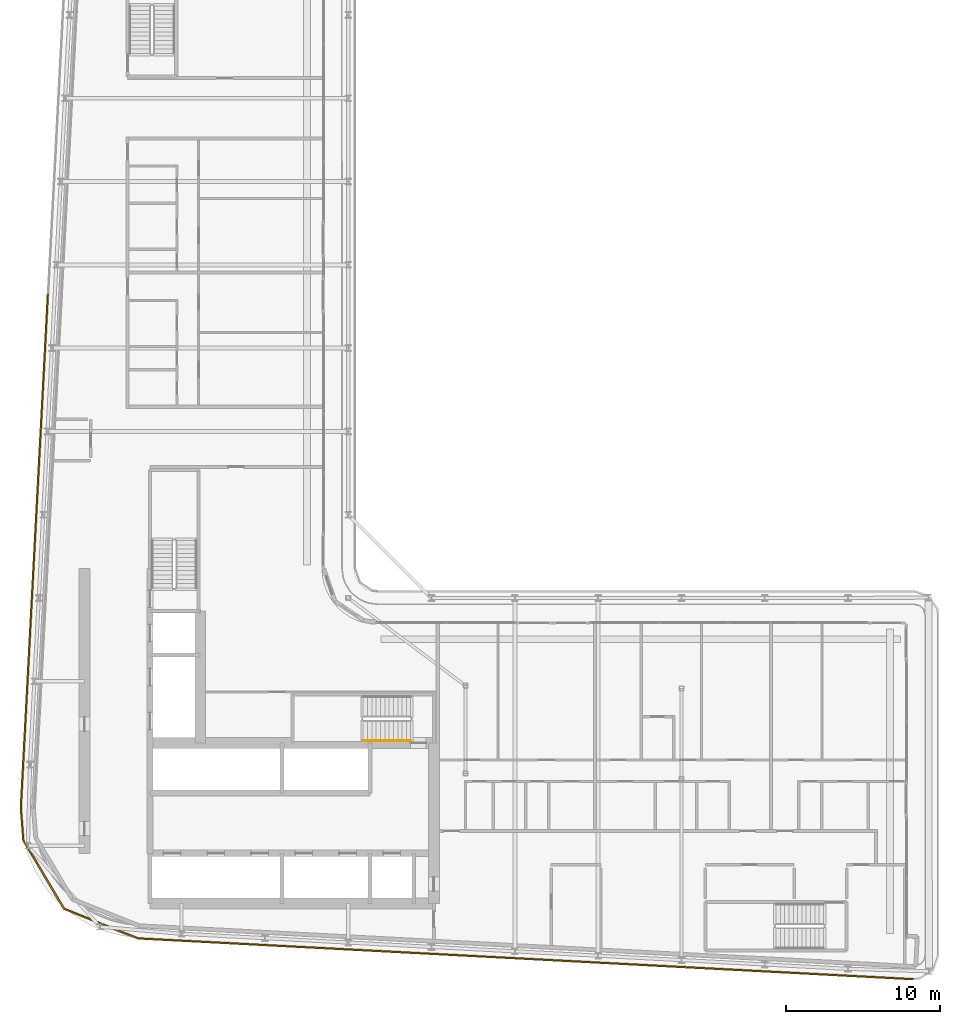
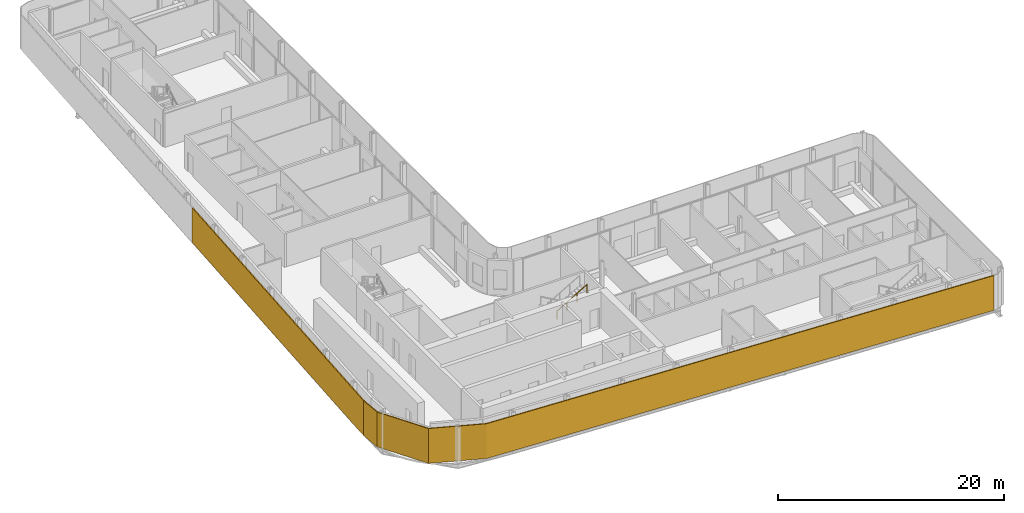
# One storey, part 16 of 22: 2 shading devices, 1 railing.
"""IFC4 building model written with IfcOpenShell, lengths in metres."""

from ifc_helpers import new_model, si_unit, direction, frame, origin, origin_2d, place, context, subcontext, project, spatial, polyline, rectangle, circle, outline, extrude, material, layer, layer_set, type_object, element, save


model = new_model("IFC4")

# Units and contexts
model_context = context("Model", 3, precision=1e-05, world=origin(), true_north=direction((0.0, 1.0)))
body_context = subcontext(model_context, "Body", "Model", "MODEL_VIEW")
ifc_project = project(units=[si_unit("LENGTHUNIT", "METRE"), si_unit("AREAUNIT", "SQUARE_METRE"), si_unit("VOLUMEUNIT", "CUBIC_METRE"), si_unit("PLANEANGLEUNIT", "RADIAN"), si_unit("MASSUNIT", "GRAM", prefix="KILO")], contexts=[model_context])

# Site, building, storey
site_placement = place(None, origin())
site = spatial("IfcSite", under=ifc_project, at=site_placement, CompositionType="ELEMENT")
building_placement = place(site_placement, origin())
building = spatial("IfcBuilding", under=site, at=building_placement, Name="Kheshtan School and Residences Tower", CompositionType="ELEMENT")
storey_placement = place(building_placement, frame((0.0, 0.0, 255.199951171875)))
storey = spatial("IfcBuildingStorey", under=building, at=storey_placement, Name="L60", CompositionType="ELEMENT", Elevation=255.199951171875)

# Shading devices
ifc_material_1 = material(Name="Terracotta baguette, extruded ceramic", Category="masonry")
ifc_layer = layer(ifc_material_1, 0.10009765625)
ifc_layer_set = layer_set([ifc_layer], Name="Ledge screen, terracotta baguettes")
shading_device_type = type_object("IfcShadingDeviceType", Name="Ledge screen, terracotta baguettes", PredefinedType="USERDEFINED", material=ifc_layer_set)
shading_device_1_placement = place(storey_placement, origin())
element("IfcShadingDevice", 1, at=shading_device_1_placement, inside=storey, type_object=shading_device_type, Name="Screen L60 3", ObjectType="BAGUETTE", PredefinedType="USERDEFINED", context=body_context, shape_type="SweptSolid", body=[
    extrude(outline(polyline([(84.220947265625, 20.93603515625), (33.989013671875, 23.580078125), (29.2119140625, 25.486083984375), (26.583984375, 29.906982421875), (26.419921875, 31.989013671875), (26.320068359375, 31.98095703125), (26.486083984375, 29.8759765625), (29.14306640625, 25.406005859375), (33.967041015625, 23.48095703125), (84.216064453125, 20.8359375), (84.220947265625, 20.93603515625)])), origin(), (0.0, 0.0, 1.0), 3.75),
])
shading_device_2_placement = place(storey_placement, frame((27.24609375, 48.638916015625, 0.0), z_axis=(0.0, 0.0, 1.0), x_axis=(0.052562536748, 0.998617634398, 0.0)))
element("IfcShadingDevice", 2, at=shading_device_2_placement, inside=storey, type_object=shading_device_type, Name="Screen L60 4", ObjectType="BAGUETTE", PredefinedType="USERDEFINED", context=body_context, shape_type="SweptSolid", body=[
    extrude(rectangle(XDim=33.341064453125, YDim=0.10009765625, at=origin_2d()), origin(), (0.0, 0.0, 1.0), 3.75),
])

# Railing
ifc_material_2 = material(Name="Stainless steel handrail", Category="steel")
railing_type = type_object("IfcRailingType", Name="Stair handrail 900", PredefinedType="HANDRAIL", material=ifc_material_2)
railing_placement = place(storey_placement, frame((48.570068359375, 36.35009765625, 2.112548828125)))
element("IfcRailing", 3, at=railing_placement, inside=storey, type_object=railing_type, Name="L60 ST1 stair handrail 2", PredefinedType="HANDRAIL", context=body_context, shape_type="SweptSolid", body=[
    extrude(circle(Radius=0.02392578125, at=origin_2d()), frame((0.0, 0.0, 0.8759765625), z_axis=(0.864873446163, 0.0, 0.501989962173), x_axis=(0.0, 1.0, 0.0)), (0.0, 0.0, 1.0), 3.56103515625),
    extrude(circle(Radius=0.02099609375, at=origin_2d()), origin(), (0.0, 0.0, 1.0), 0.851806640625),
    extrude(circle(Radius=0.02099609375, at=origin_2d()), frame((1.026611328125, 0.0, 0.595947265625)), (0.0, 0.0, 1.0), 0.851806640625),
    extrude(circle(Radius=0.02099609375, at=origin_2d()), frame((2.05322265625, 0.0, 1.191650390625)), (0.0, 0.0, 1.0), 0.851806640625),
    extrude(circle(Radius=0.02099609375, at=origin_2d()), frame((3.079833984375, 0.0, 1.78759765625)), (0.0, 0.0, 1.0), 0.851806640625),
])

save(model, "model.ifc")
